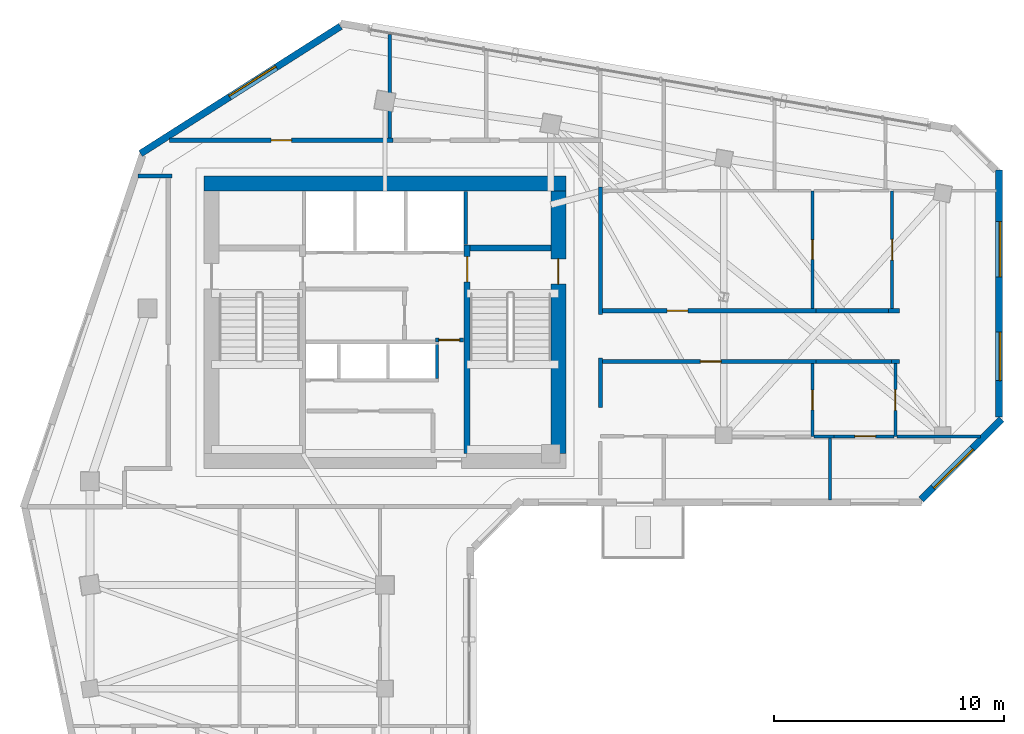
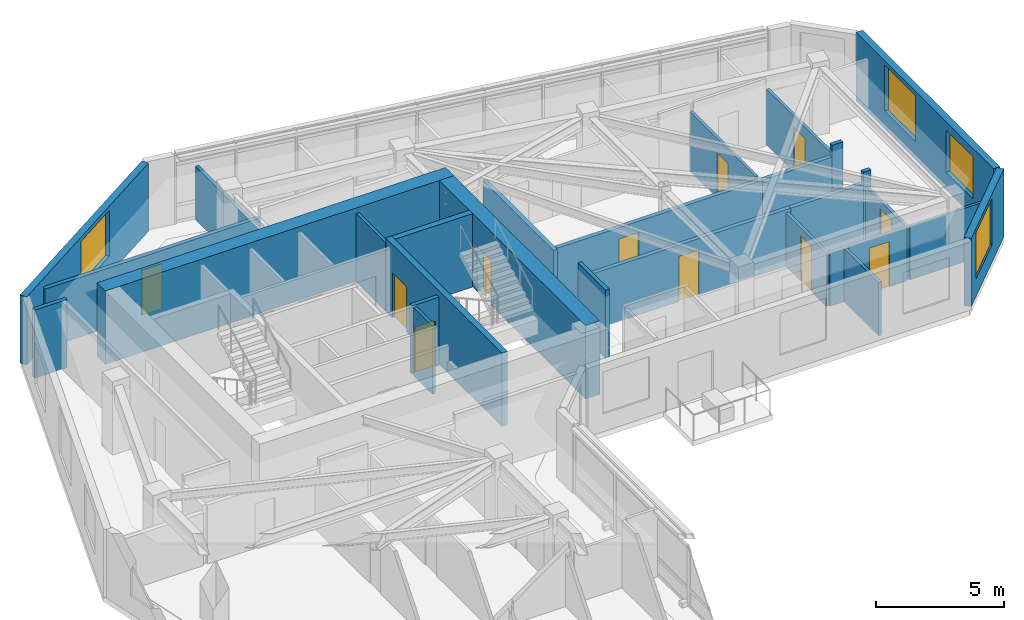
# One storey, part 7 of 11: 29 walls, 11 doors, 4 windows, 15 openings.
"""IFC4 building model written with IfcOpenShell, lengths in metres."""

import ifcopenshell
import ifcopenshell.guid

model = None  # the IFC model being written
_history = None  # IfcOwnerHistory: only IFC2X3 demands one
_inside = {}  # id of a spatial element -> (the spatial element, [elements in it])
_under = {}  # id of a project, library or spatial element -> (it, [spatial elements below it])
_declared = {}  # id of a project -> (the project, [libraries it declares])
_typed = {}  # id of a type object -> (the type object, [elements of that type])
_made_of = {}  # id of a material, layer set ... -> (it, [elements and type objects made of it])


def new_model(schema):
    """Start an empty IFC model of exactly this schema.

    Asked for "IFC4X3", IfcOpenShell would pick the latest addendum, in which some entities
    have other attributes; the version numbers below select the first issue.
    IFC2X3 requires an IfcOwnerHistory on every rooted entity: one is made here for all.
    """
    global model, _history
    if schema == "IFC4X3":
        model = ifcopenshell.file(schema_version=(4, 3, 0, 0))
    else:
        model = ifcopenshell.file(schema=schema)
    _inside.clear()
    _under.clear()
    _declared.clear()
    _typed.clear()
    _made_of.clear()
    _history = None
    if model.schema == "IFC2X3":
        org = make("IfcOrganization", Name="unknown")
        user = make(
            "IfcPersonAndOrganization",
            ThePerson=make("IfcPerson", FamilyName="unknown"),
            TheOrganization=org,
        )
        app = make(
            "IfcApplication",
            ApplicationDeveloper=org,
            Version="unknown",
            ApplicationFullName="unknown",
            ApplicationIdentifier="unknown",
        )
        _history = make(
            "IfcOwnerHistory",
            OwningUser=user,
            OwningApplication=app,
            ChangeAction="ADDED",
            CreationDate=0,
        )
    return model


def make(cls, **values):
    """One entity of the class cls with the attributes given. An attribute that is None is left unset."""
    return model.create_entity(
        cls, **{name: value for name, value in values.items() if value is not None}
    )


def rooted(cls, **values):
    """An entity with a GlobalId (a new one), such as an element, a storey or a relation."""
    return make(cls, GlobalId=ifcopenshell.guid.new(), OwnerHistory=_history, **values)


def si_unit(unit_type, name, prefix=None):
    """IfcSIUnit, for example si_unit("LENGTHUNIT", "METRE", prefix="MILLI")."""
    return make("IfcSIUnit", UnitType=unit_type, Prefix=prefix, Name=name)


def assignment(units):
    """IfcUnitAssignment: the units of a project."""
    return None if units is None else make("IfcUnitAssignment", Units=units)


def point(xyz):
    """IfcCartesianPoint."""
    return None if xyz is None else make("IfcCartesianPoint", Coordinates=xyz)


def direction(xyz):
    """IfcDirection."""
    return None if xyz is None else make("IfcDirection", DirectionRatios=xyz)


def frame(location, z_axis=None, x_axis=None):
    """IfcAxis2Placement3D, a coordinate frame: its origin and axes. An axis left out is left unset."""
    return make(
        "IfcAxis2Placement3D",
        Location=point(location),
        Axis=direction(z_axis),
        RefDirection=direction(x_axis),
    )


def frame_2d(location, x_axis=None):
    """IfcAxis2Placement2D, a coordinate frame in the plane: its origin and x axis."""
    return make(
        "IfcAxis2Placement2D", Location=point(location), RefDirection=direction(x_axis)
    )


def origin():
    """The frame at (0, 0, 0) with its axes left unset."""
    return frame((0.0, 0.0, 0.0))


def place(relative_to, where):
    """IfcLocalPlacement: puts the frame where relative to a parent placement (None: the world)."""
    return make(
        "IfcLocalPlacement", PlacementRelTo=relative_to, RelativePlacement=where
    )


def context(
    kind, dimensions, precision=None, world=None, true_north=None, identifier=None
):
    """IfcGeometricRepresentationContext, for example the 3D "Model" context."""
    return make(
        "IfcGeometricRepresentationContext",
        ContextIdentifier=identifier,
        ContextType=kind,
        CoordinateSpaceDimension=dimensions,
        Precision=precision,
        WorldCoordinateSystem=world,
        TrueNorth=true_north,
    )


def subcontext(parent, identifier, kind, view, scale=None):
    """IfcGeometricRepresentationSubContext, for example "Body" below "Model"."""
    return make(
        "IfcGeometricRepresentationSubContext",
        ContextIdentifier=identifier,
        ContextType=kind,
        ParentContext=parent,
        TargetScale=scale,
        TargetView=view,
    )


def project(units=None, contexts=None):
    """IfcProject with its units and contexts."""
    return rooted(
        "IfcProject",
        Name="project",
        RepresentationContexts=contexts,
        UnitsInContext=assignment(units),
    )


def spatial(cls, under=None, at=None, **own):
    """A site, building, storey or space (cls), placed at a placement, below another one or the project."""
    s = rooted(cls, ObjectPlacement=at, **own)
    if under is not None:
        _under.setdefault(under.id(), (under, []))[1].append(s)
    return s


def profile(cls, at=None, kind="AREA", **sizes):
    """A parametric profile (cls). Its sizes go by their IFC names, for example OverallWidth=200.0."""
    return make(cls, ProfileType=kind, Position=at, **sizes)


def rectangle(**sizes):
    """IfcRectangleProfileDef."""
    return profile("IfcRectangleProfileDef", **sizes)


def extrude(swept, where, along, depth):
    """IfcExtrudedAreaSolid: the profile swept, set in the frame where, extruded along a direction by depth."""
    return make(
        "IfcExtrudedAreaSolid",
        SweptArea=swept,
        Position=where,
        ExtrudedDirection=direction(along),
        Depth=depth,
    )


def shape(context_of_items, identifier, shape_type, items):
    """IfcShapeRepresentation: the items that make up one representation, for example the "Body"."""
    return make(
        "IfcShapeRepresentation",
        ContextOfItems=context_of_items,
        RepresentationIdentifier=identifier,
        RepresentationType=shape_type,
        Items=items,
    )


def source(mapping_origin, context_of_items, identifier, shape_type, items):
    """IfcRepresentationMap: a shape defined once, which mapped items show again and again."""
    return make(
        "IfcRepresentationMap",
        MappingOrigin=mapping_origin,
        MappedRepresentation=shape(context_of_items, identifier, shape_type, items),
    )


def transform(
    local_origin,
    x_axis=None,
    y_axis=None,
    z_axis=None,
    scale=None,
    scale2=None,
    scale3=None,
    uniform=True,
):
    """IfcCartesianTransformationOperator3D, or its non-uniform kind. x_axis, y_axis, z_axis: its Axis1, 2, 3."""
    if uniform:
        return make(
            "IfcCartesianTransformationOperator3D",
            Axis1=direction(x_axis),
            Axis2=direction(y_axis),
            LocalOrigin=point(local_origin),
            Scale=scale,
            Axis3=direction(z_axis),
        )
    return make(
        "IfcCartesianTransformationOperator3DnonUniform",
        Axis1=direction(x_axis),
        Axis2=direction(y_axis),
        LocalOrigin=point(local_origin),
        Scale=scale,
        Axis3=direction(z_axis),
        Scale2=scale2,
        Scale3=scale3,
    )


def mapped(mapping_source, mapping_target):
    """IfcMappedItem: shows the shape of a source again, moved by a transform."""
    return make(
        "IfcMappedItem", MappingSource=mapping_source, MappingTarget=mapping_target
    )


def material(Name=None, Category=None):
    """IfcMaterial."""
    return make("IfcMaterial", Name=Name, Category=Category)


def layer(
    of_material, thickness, ventilated=None, Name=None, Category=None, Priority=None
):
    """IfcMaterialLayer: one layer of a wall or slab, of a material (None: an air gap)."""
    return make(
        "IfcMaterialLayer",
        Material=of_material,
        LayerThickness=thickness,
        IsVentilated=ventilated,
        Name=Name,
        Category=Category,
        Priority=Priority,
    )


def layer_set(layers, Name=None):
    """IfcMaterialLayerSet."""
    return make("IfcMaterialLayerSet", MaterialLayers=layers, LayerSetName=Name)


def made_of(thing, what):
    """Note that an element or type object is made of a material, layer set ...; save() writes the relation."""
    if what is not None:
        _made_of.setdefault(what.id(), (what, []))[1].append(thing)
    return thing


def type_object(cls, material=None, **own):
    """A type object (cls), such as IfcWallType, which elements share."""
    return made_of(rooted(cls, **own), material)


def element(
    cls,
    number,
    at=None,
    inside=None,
    cuts=None,
    type_object=None,
    material=None,
    context=None,
    identifier="Body",
    shape_type=None,
    held_by="IfcProductDefinitionShape",
    body=None,
    shapes=None,
    **own,
):
    """One element of the class cls, such as IfcWall. Its Tag is "e" and its number.

    at: its placement. inside: the storey or other place that contains it. cuts: it is an
    opening in that element (IfcRelVoidsElement). A single representation is given by context,
    identifier, shape_type and body (its items); several are given by shapes. held_by: the class
    of the entity that holds the representations. save() writes the other relations.
    """
    e = rooted(cls, Tag="e%d" % number, ObjectPlacement=at, **own)
    if body is not None:
        shapes = [shape(context, identifier, shape_type, body)]
    if shapes is not None:
        e.Representation = make(held_by, Representations=shapes)
    if inside is not None:
        _inside.setdefault(inside.id(), (inside, []))[1].append(e)
    if cuts is not None:
        rooted(
            "IfcRelVoidsElement", RelatingBuildingElement=cuts, RelatedOpeningElement=e
        )
    if type_object is not None:
        _typed.setdefault(type_object.id(), (type_object, []))[1].append(e)
    return made_of(e, material)


def fill(opening, filler):
    """IfcRelFillsElement: the door or window that sits in an opening."""
    return rooted(
        "IfcRelFillsElement",
        RelatingOpeningElement=opening,
        RelatedBuildingElement=filler,
    )


def aggregate(whole, parts):
    """IfcRelAggregates: a whole, such as a stair, and the parts it consists of."""
    return rooted("IfcRelAggregates", RelatingObject=whole, RelatedObjects=parts)


def save(model, path):
    """Write the relations noted so far, then the file.

    IfcRelAggregates (storeys below a building ...), IfcRelContainedInSpatialStructure (elements
    in a storey), IfcRelDefinesByType, IfcRelAssociatesMaterial and IfcRelDeclares: one each for
    every whole, place, type object, material and project.
    """
    for whole, parts in _under.values():
        aggregate(whole, parts)
    for where, things in _inside.values():
        rooted(
            "IfcRelContainedInSpatialStructure",
            RelatedElements=things,
            RelatingStructure=where,
        )
    for kind, things in _typed.values():
        rooted("IfcRelDefinesByType", RelatedObjects=things, RelatingType=kind)
    for what, things in _made_of.values():
        rooted("IfcRelAssociatesMaterial", RelatedObjects=things, RelatingMaterial=what)
    for by, libraries in _declared.values():
        rooted("IfcRelDeclares", RelatingContext=by, RelatedDefinitions=libraries)
    model.write(path)


model = new_model("IFC4")

# Units and contexts
model_context = context("Model", 3, precision=1e-05, world=origin(), true_north=direction((0.0, 1.0)))
body_context = subcontext(model_context, "Body", "Model", "MODEL_VIEW")
ifc_project = project(units=[si_unit("LENGTHUNIT", "METRE"), si_unit("AREAUNIT", "SQUARE_METRE"), si_unit("VOLUMEUNIT", "CUBIC_METRE"), si_unit("PLANEANGLEUNIT", "RADIAN"), si_unit("MASSUNIT", "GRAM", prefix="KILO")], contexts=[model_context])

# Site, building, storey
site_placement = place(None, origin())
site = spatial("IfcSite", under=ifc_project, at=site_placement, CompositionType="ELEMENT")
building_placement = place(site_placement, origin())
building = spatial("IfcBuilding", under=site, at=building_placement, Name="Calvemar Wedge Station Tower", CompositionType="ELEMENT")
storey_placement = place(building_placement, frame((0.0, 0.0, 183.39990234375)))
storey = spatial("IfcBuildingStorey", under=building, at=storey_placement, Name="L45", CompositionType="ELEMENT", Elevation=183.39990234375)

# Wall, opening, door
ifc_material_1 = material(Name="Concrete C50", Category="concrete")
ifc_layer_1 = layer(ifc_material_1, 0.260009765625)
ifc_layer_set_1 = layer_set([ifc_layer_1], Name="Concrete C50")
wall_type_1 = type_object("IfcWallType", Name="SW-CORE-260", PredefinedType="SHEAR", material=ifc_layer_set_1)
wall_1_placement = place(storey_placement, frame((27.3701171875, 34.199951171875, 0.0), z_axis=(0.0, 0.0, 1.0), x_axis=(0.0, 1.0, 0.0)))
wall_1 = element("IfcWall", 1, at=wall_1_placement, inside=storey, type_object=wall_type_1, Name="Storey L45 Core Shear Wall SPINE-E", PredefinedType="SHEAR", context=body_context, shape_type="SweptSolid", body=[
    extrude(rectangle(XDim=9.06005859375, YDim=0.260009765625, at=frame_2d((4.530029296875, 0.0))), origin(), (0.0, 0.0, 1.0), 3.5),
])
shared_shape_1 = source(origin(), body_context, "Body", "SweptSolid", [
    extrude(rectangle(XDim=1.10009765625, YDim=2.14990234375, at=frame_2d((0.550048828125, 1.074951171875))), frame((0.0, 0.14013671875, 0.0), z_axis=(0.0, -1.0, 0.0), x_axis=(1.0, 0.0, 0.0)), (0.0, 0.0, 1.0), 0.280029296875),
])
opening_1_placement = place(wall_1_placement, frame((7.449951171875, 0.0, 0.0)))
opening_1 = element("IfcOpeningElement", 2, at=opening_1_placement, cuts=wall_1, Name="Opening FD-90", PredefinedType="OPENING", context=body_context, shape_type="MappedRepresentation", body=[
    mapped(shared_shape_1, transform((0.0, 0.0, 0.0), scale=1.0)),
])
ifc_material_2 = material(Name="Galvanized fire-rated steel door leaf P-90", Category="steel")
door_type_1 = type_object("IfcDoorType", Name="DR-FD90-1100", OperationType="NOTDEFINED", PredefinedType="DOOR", material=ifc_material_2)
shared_shape_2 = source(origin(), body_context, "Body", "SweptSolid", [
    extrude(rectangle(XDim=1.10009765625, YDim=2.14990234375, at=frame_2d((0.550048828125, 1.074951171875))), frame((0.0, 0.02490234375, 0.0), z_axis=(0.0, -1.0, 0.0), x_axis=(1.0, 0.0, 0.0)), (0.0, 0.0, 1.0), 0.050048828125),
])
door_1_placement = place(opening_1_placement, origin())
door_1 = element("IfcDoor", 3, at=door_1_placement, inside=storey, type_object=door_type_1, Name="L45 FF Lobby to Stair ST-C2 Door", OperationType="SINGLE_SWING_RIGHT", OverallHeight=2.14990234375, OverallWidth=1.10009765625, PredefinedType="DOOR", context=body_context, shape_type="MappedRepresentation", body=[
    mapped(shared_shape_2, transform((0.0, 0.0, 0.0), scale=1.0)),
])
fill(opening_1, door_1)

# Walls
wall_2_placement = place(storey_placement, frame((27.5, 43.1298828125, 0.0), z_axis=(0.0, 0.0, 1.0), x_axis=(1.0, 0.0, 0.0)))
element("IfcWall", 4, at=wall_2_placement, inside=storey, type_object=wall_type_1, Name="Storey L45 Core Shear Wall STC2-N", PredefinedType="SHEAR", context=body_context, shape_type="SweptSolid", body=[
    extrude(rectangle(XDim=3.5, YDim=0.260009765625, at=frame_2d((1.75, 0.0))), origin(), (0.0, 0.0, 1.0), 3.5),
])
ifc_material_3 = material(Name="Concrete C60", Category="concrete")
ifc_layer_2 = layer(ifc_material_3, 0.64990234375)
ifc_layer_set_2 = layer_set([ifc_layer_2], Name="Concrete C60")
wall_type_2 = type_object("IfcWallType", Name="SW-CORE-650", PredefinedType="SHEAR", material=ifc_layer_set_2)
wall_3_placement = place(storey_placement, frame((15.949951171875, 45.925048828125, 0.0), z_axis=(0.0, 0.0, 1.0), x_axis=(1.0, 0.0, 0.0)))
element("IfcWall", 5, at=wall_3_placement, inside=storey, type_object=wall_type_2, Name="Storey L45 Core Shear Wall N", PredefinedType="SHEAR", context=body_context, shape_type="SweptSolid", body=[
    extrude(rectangle(XDim=15.699951171875, YDim=0.64990234375, at=frame_2d((7.85009765625, 0.0))), origin(), (0.0, 0.0, 1.0), 3.5),
])

# Wall, opening, door
wall_4_placement = place(storey_placement, frame((31.324951171875, 34.199951171875, 0.0), z_axis=(0.0, 0.0, 1.0), x_axis=(0.0, 1.0, 0.0)))
wall_4 = element("IfcWall", 6, at=wall_4_placement, inside=storey, type_object=wall_type_2, Name="Storey L45 Core Shear Wall E", PredefinedType="SHEAR", context=body_context, shape_type="SweptSolid", body=[
    extrude(rectangle(XDim=11.400146484375, YDim=0.64990234375, at=frame_2d((5.7001953125, 0.0))), origin(), (0.0, 0.0, 1.0), 3.5),
])
shared_shape_3 = source(origin(), body_context, "Body", "SweptSolid", [
    extrude(rectangle(XDim=1.10009765625, YDim=2.14990234375, at=frame_2d((0.550048828125, 1.074951171875))), frame((0.0, 0.3349609375, 0.0), z_axis=(0.0, -1.0, 0.0), x_axis=(1.0, 0.0, 0.0)), (0.0, 0.0, 1.0), 0.669921875),
])
opening_2_placement = place(wall_4_placement, frame((7.35009765625, 0.0, 0.0)))
opening_2 = element("IfcOpeningElement", 7, at=opening_2_placement, cuts=wall_4, Name="Opening FD-90", PredefinedType="OPENING", context=body_context, shape_type="MappedRepresentation", body=[
    mapped(shared_shape_3, transform((0.0, 0.0, 0.0), scale=1.0)),
])
door_2_placement = place(opening_2_placement, origin())
door_2 = element("IfcDoor", 8, at=door_2_placement, inside=storey, type_object=door_type_1, Name="L45 East Corridor to Exit Stair ST-C2 Door", OperationType="SINGLE_SWING_RIGHT", OverallHeight=2.14990234375, OverallWidth=1.10009765625, PredefinedType="DOOR", context=body_context, shape_type="MappedRepresentation", body=[
    mapped(shared_shape_2, transform((0.0, 0.0, 0.0), scale=1.0)),
])
fill(opening_2, door_2)

ifc_material_4 = material(Name="Double-stud fire-rated corridor partition")
ifc_layer_3 = layer(ifc_material_4, 0.179931640625)
ifc_layer_set_3 = layer_set([ifc_layer_3], Name="Double-stud fire-rated corridor partition")
wall_type_3 = type_object("IfcWallType", Name="W-CORR-180", PredefinedType="PARTITIONING", material=ifc_layer_set_3)
wall_5_placement = place(storey_placement, frame((27.199951171875, 39.1298828125, 0.0), z_axis=(0.0, 0.0, 1.0), x_axis=(-1.0, 0.0, 0.0)))
wall_5 = element("IfcWall", 9, at=wall_5_placement, inside=storey, type_object=wall_type_3, Name="Storey L45 Interior Partition WL-L45-003", PredefinedType="PARTITIONING", context=body_context, shape_type="SweptSolid", body=[
    extrude(rectangle(XDim=1.2099609375, YDim=0.179931640625, at=frame_2d((0.60498046875, 0.0))), origin(), (0.0, 0.0, 1.0), 3.25),
])
shared_shape_4 = source(origin(), body_context, "Body", "SweptSolid", [
    extrude(rectangle(XDim=0.89990234375, YDim=2.14990234375, at=frame_2d((0.449951171875, 1.074951171875))), frame((0.0, 0.10009765625, 0.0), z_axis=(0.0, -1.0, 0.0), x_axis=(1.0, 0.0, 0.0)), (0.0, 0.0, 1.0), 0.199951171875),
])
opening_3_placement = place(wall_5_placement, frame((0.155029296875, 0.0, 0.0)))
opening_3 = element("IfcOpeningElement", 10, at=opening_3_placement, cuts=wall_5, Name="Opening FD-60", PredefinedType="OPENING", context=body_context, shape_type="MappedRepresentation", body=[
    mapped(shared_shape_4, transform((0.0, 0.0, 0.0), scale=1.0)),
])
ifc_material_5 = material(Name="Fire-rated acoustic timber-core entrance door EI 60", Category="wood")
door_type_2 = type_object("IfcDoorType", Name="DR-FD60-900", OperationType="NOTDEFINED", PredefinedType="DOOR", material=ifc_material_5)
shared_shape_5 = source(origin(), body_context, "Body", "SweptSolid", [
    extrude(rectangle(XDim=0.89990234375, YDim=2.14990234375, at=frame_2d((0.449951171875, 1.074951171875))), frame((0.0, 0.02490234375, 0.0), z_axis=(0.0, -1.0, 0.0), x_axis=(1.0, 0.0, 0.0)), (0.0, 0.0, 1.0), 0.050048828125),
])
door_3_placement = place(opening_3_placement, origin())
door_3 = element("IfcDoor", 11, at=door_3_placement, inside=storey, type_object=door_type_2, Name="L45 Core Service Lobby Door", OperationType="SINGLE_SWING_LEFT", OverallHeight=2.14990234375, OverallWidth=0.89990234375, PredefinedType="DOOR", context=body_context, shape_type="MappedRepresentation", body=[
    mapped(shared_shape_5, transform((0.0, 0.0, 0.0), scale=1.0)),
])
fill(opening_3, door_3)

# Wall
wall_6_placement = place(storey_placement, frame((14.56005859375, 46.25, 0.0), z_axis=(0.0, 0.0, 1.0), x_axis=(-1.0, 0.0, 0.0)))
element("IfcWall", 12, at=wall_6_placement, inside=storey, type_object=wall_type_3, Name="Storey L45 Interior Partition WL-L45-013", PredefinedType="PARTITIONING", context=body_context, shape_type="SweptSolid", body=[
    extrude(rectangle(XDim=1.46875, YDim=0.179931640625, at=frame_2d((0.734375, 0.0))), origin(), (0.0, 0.0, 1.0), 3.25),
])

# Wall, opening, door
wall_7_placement = place(storey_placement, frame((14.45263671875, 47.800048828125, 0.0), z_axis=(0.0, 0.0, 1.0), x_axis=(1.0, 0.0, 0.0)))
wall_7 = element("IfcWall", 13, at=wall_7_placement, inside=storey, type_object=wall_type_3, Name="Storey L45 Interior Partition WL-L45-014", PredefinedType="PARTITIONING", context=body_context, shape_type="SweptSolid", body=[
    extrude(rectangle(XDim=9.707275390625, YDim=0.179931640625, at=frame_2d((4.853515625, 0.0))), origin(), (0.0, 0.0, 1.0), 2.835205078125),
])
opening_4_placement = place(wall_7_placement, frame((4.40380859375, 0.0, 0.0)))
opening_4 = element("IfcOpeningElement", 14, at=opening_4_placement, cuts=wall_7, Name="Opening D-01", PredefinedType="OPENING", context=body_context, shape_type="MappedRepresentation", body=[
    mapped(shared_shape_4, transform((0.0, 0.0, 0.0), scale=1.0)),
])
ifc_material_6 = material(Name="Architectural hardwood acoustic swing door", Category="wood")
door_type_3 = type_object("IfcDoorType", Name="DR-INT-900", OperationType="NOTDEFINED", PredefinedType="DOOR", material=ifc_material_6)
shared_shape_6 = source(origin(), body_context, "Body", "SweptSolid", [
    extrude(rectangle(XDim=0.89990234375, YDim=2.14990234375, at=frame_2d((0.449951171875, 1.074951171875))), frame((0.0, 0.02490234375, 0.0), z_axis=(0.0, -1.0, 0.0), x_axis=(1.0, 0.0, 0.0)), (0.0, 0.0, 1.0), 0.050048828125),
])
door_4_placement = place(opening_4_placement, origin())
door_4 = element("IfcDoor", 15, at=door_4_placement, inside=storey, type_object=door_type_3, Name="L45 Resident Reading Study Door", OperationType="SINGLE_SWING_RIGHT", OverallHeight=2.14990234375, OverallWidth=0.89990234375, PredefinedType="DOOR", context=body_context, shape_type="MappedRepresentation", body=[
    mapped(shared_shape_6, transform((0.0, 0.0, 0.0), scale=1.0)),
])
fill(opening_4, door_4)

# Walls
wall_8_placement = place(storey_placement, frame((33.14990234375, 45.76611328125, 0.0), z_axis=(0.0, 0.0, 1.0), x_axis=(0.0, -1.0, 0.0)))
element("IfcWall", 16, at=wall_8_placement, inside=storey, type_object=wall_type_3, Name="Storey L45 Interior Partition WL-L45-018", PredefinedType="PARTITIONING", context=body_context, shape_type="SweptSolid", body=[
    extrude(rectangle(XDim=5.526123046875, YDim=0.179931640625, at=frame_2d((2.76318359375, 0.0))), origin(), (0.0, 0.0, 1.0), 2.68798828125),
])
wall_9_placement = place(storey_placement, frame((33.14990234375, 38.360107421875, 0.0), z_axis=(0.0, 0.0, 1.0), x_axis=(0.0, -1.0, 0.0)))
element("IfcWall", 17, at=wall_9_placement, inside=storey, type_object=wall_type_3, Name="Storey L45 Interior Partition WL-L45-020", PredefinedType="PARTITIONING", context=body_context, shape_type="SweptSolid", body=[
    extrude(rectangle(XDim=2.16015625, YDim=0.179931640625, at=frame_2d((1.080078125, 0.0))), origin(), (0.0, 0.0, 1.0), 3.25),
])
wall_10_placement = place(storey_placement, frame((45.64794921875, 40.39990234375, 0.0), z_axis=(0.0, 0.0, 1.0), x_axis=(1.0, 0.0, 0.0)))
element("IfcWall", 18, at=wall_10_placement, inside=storey, type_object=wall_type_3, Name="Storey L45 Interior Partition WL-L45-025", PredefinedType="PARTITIONING", context=body_context, shape_type="SweptSolid", body=[
    extrude(rectangle(XDim=0.487060546875, YDim=0.179931640625, at=frame_2d((0.24365234375, 0.0))), origin(), (0.0, 0.0, 1.0), 3.25),
])

# Wall, opening, door
wall_11_placement = place(storey_placement, frame((33.243896484375, 40.39990234375, 0.0), z_axis=(0.0, 0.0, 1.0), x_axis=(1.0, 0.0, 0.0)))
wall_11 = element("IfcWall", 19, at=wall_11_placement, inside=storey, type_object=wall_type_3, Name="Storey L45 Interior Partition WL-L45-026", PredefinedType="PARTITIONING", context=body_context, shape_type="SweptSolid", body=[
    extrude(rectangle(XDim=9.26611328125, YDim=0.179931640625, at=frame_2d((4.633056640625, 0.0))), origin(), (0.0, 0.0, 1.0), 2.68798828125),
])
opening_5_placement = place(wall_11_placement, frame((2.802001953125, 0.0, 0.0)))
opening_5 = element("IfcOpeningElement", 20, at=opening_5_placement, cuts=wall_11, Name="Opening FD-60", PredefinedType="OPENING", context=body_context, shape_type="MappedRepresentation", body=[
    mapped(shared_shape_4, transform((0.0, 0.0, 0.0), scale=1.0)),
])
door_5_placement = place(opening_5_placement, origin())
door_5 = element("IfcDoor", 21, at=door_5_placement, inside=storey, type_object=door_type_2, Name="L45 Living Dining Door", OperationType="SINGLE_SWING_RIGHT", OverallHeight=2.14990234375, OverallWidth=0.89990234375, PredefinedType="DOOR", context=body_context, shape_type="MappedRepresentation", body=[
    mapped(shared_shape_5, transform((0.0, 0.0, 0.0), scale=1.0)),
])
fill(opening_5, door_5)

# Walls
wall_12_placement = place(storey_placement, frame((42.511962890625, 40.39990234375, 0.0), z_axis=(0.0, 0.0, 1.0), x_axis=(1.0, 0.0, 0.0)))
element("IfcWall", 22, at=wall_12_placement, inside=storey, type_object=wall_type_3, Name="Storey L45 Interior Partition WL-L45-027", PredefinedType="PARTITIONING", context=body_context, shape_type="SweptSolid", body=[
    extrude(rectangle(XDim=3.134033203125, YDim=0.179931640625, at=frame_2d((1.56689453125, 0.0))), origin(), (0.0, 0.0, 1.0), 2.68798828125),
])
wall_13_placement = place(storey_placement, frame((46.135009765625, 38.199951171875, 0.0), z_axis=(0.0, 0.0, 1.0), x_axis=(-1.0, 0.0, 0.0)))
element("IfcWall", 23, at=wall_13_placement, inside=storey, type_object=wall_type_3, Name="Storey L45 Interior Partition WL-L45-028", PredefinedType="PARTITIONING", context=body_context, shape_type="SweptSolid", body=[
    extrude(rectangle(XDim=0.344970703125, YDim=0.179931640625, at=frame_2d((0.17236328125, 0.0))), origin(), (0.0, 0.0, 1.0), 3.25),
])

# Wall, opening, door
wall_14_placement = place(storey_placement, frame((42.510009765625, 38.199951171875, 0.0), z_axis=(0.0, 0.0, 1.0), x_axis=(-1.0, 0.0, 0.0)))
wall_14 = element("IfcWall", 24, at=wall_14_placement, inside=storey, type_object=wall_type_3, Name="Storey L45 Interior Partition WL-L45-029", PredefinedType="PARTITIONING", context=body_context, shape_type="SweptSolid", body=[
    extrude(rectangle(XDim=9.26611328125, YDim=0.179931640625, at=frame_2d((4.633056640625, 0.0))), origin(), (0.0, 0.0, 1.0), 2.68798828125),
])
opening_6_placement = place(wall_14_placement, frame((4.123046875, 0.0, 0.0)))
opening_6 = element("IfcOpeningElement", 25, at=opening_6_placement, cuts=wall_14, Name="Opening FD-60", PredefinedType="OPENING", context=body_context, shape_type="MappedRepresentation", body=[
    mapped(shared_shape_4, transform((0.0, 0.0, 0.0), scale=1.0)),
])
door_6_placement = place(opening_6_placement, origin())
door_6 = element("IfcDoor", 26, at=door_6_placement, inside=storey, type_object=door_type_2, Name="L45 Living Dining Door", OperationType="SINGLE_SWING_LEFT", OverallHeight=2.14990234375, OverallWidth=0.89990234375, PredefinedType="DOOR", context=body_context, shape_type="MappedRepresentation", body=[
    mapped(shared_shape_5, transform((0.0, 0.0, 0.0), scale=1.0)),
])
fill(opening_6, door_6)

# Wall
wall_15_placement = place(storey_placement, frame((45.7880859375, 38.199951171875, 0.0), z_axis=(0.0, 0.0, 1.0), x_axis=(-1.0, 0.0, 0.0)))
element("IfcWall", 27, at=wall_15_placement, inside=storey, type_object=wall_type_3, Name="Storey L45 Interior Partition WL-L45-030", PredefinedType="PARTITIONING", context=body_context, shape_type="SweptSolid", body=[
    extrude(rectangle(XDim=3.276123046875, YDim=0.179931640625, at=frame_2d((1.63818359375, 0.0))), origin(), (0.0, 0.0, 1.0), 2.68798828125),
])

# Wall, opening, window
ifc_material_7 = material(Name="Precast concrete C45", Category="concrete")
ifc_layer_4 = layer(ifc_material_7, 0.300048828125)
ifc_layer_set_4 = layer_set([ifc_layer_4], Name="Precast concrete C45")
wall_type_4 = type_object("IfcWallType", Name="W-EXT-GFRC-300", PredefinedType="SOLIDWALL", material=ifc_layer_set_4)
wall_16_placement = place(storey_placement, frame((47.075927734375, 32.2119140625, 0.0), z_axis=(0.0, 0.0, 1.0), x_axis=(0.707106781187, 0.707106781187, 0.0)))
wall_16 = element("IfcWall", 28, at=wall_16_placement, inside=storey, type_object=wall_type_4, Name="Storey L45 Bronze GFRC Exterior Wall 7", PredefinedType="SOLIDWALL", context=body_context, shape_type="SweptSolid", body=[
    extrude(rectangle(XDim=4.921875, YDim=0.300048828125, at=frame_2d((2.4609375, 0.0))), origin(), (0.0, 0.0, 1.0), 3.25),
])
shared_shape_7 = source(origin(), body_context, "Body", "SweptSolid", [
    extrude(rectangle(XDim=2.39990234375, YDim=2.199951171875, at=frame_2d((1.199951171875, 1.10009765625))), frame((0.0, 0.16015625, 0.0), z_axis=(0.0, -1.0, 0.0), x_axis=(1.0, 0.0, 0.0)), (0.0, 0.0, 1.0), 0.320068359375),
])
opening_7_placement = place(wall_16_placement, frame((0.72900390625, 0.0, 0.85009765625)))
opening_7 = element("IfcOpeningElement", 29, at=opening_7_placement, cuts=wall_16, Name="Opening W1", PredefinedType="OPENING", context=body_context, shape_type="MappedRepresentation", body=[
    mapped(shared_shape_7, transform((0.0, 0.0, 0.0), scale=1.0)),
])
ifc_material_8 = material(Name="Low-E laminated insulated glass", Category="glass")
window_type_1 = type_object("IfcWindowType", Name="WIN-EXT-1", PartitioningType="SINGLE_PANEL", PredefinedType="WINDOW", material=ifc_material_8)
shared_shape_8 = source(origin(), body_context, "Body", "SweptSolid", [
    extrude(rectangle(XDim=2.39990234375, YDim=2.199951171875, at=frame_2d((1.199951171875, 1.10009765625))), frame((0.0, -0.014892578125, 0.0), z_axis=(0.0, -1.0, 0.0), x_axis=(1.0, 0.0, 0.0)), (0.0, 0.0, 1.0), 0.06005859375),
])
window_1_placement = place(opening_7_placement, origin())
window_1 = element("IfcWindow", 30, at=window_1_placement, inside=storey, type_object=window_type_1, Name="Storey L45 Recessed Window 7.1", OverallHeight=2.199951171875, OverallWidth=2.39990234375, PartitioningType="SINGLE_PANEL", PredefinedType="WINDOW", context=body_context, shape_type="MappedRepresentation", body=[
    mapped(shared_shape_8, transform((0.0, 0.0, 0.0), scale=1.0)),
])
fill(opening_7, window_1)

# Wall, openings, windows
wall_17_placement = place(storey_placement, frame((50.449951171875, 35.78125, 0.0), z_axis=(0.0, 0.0, 1.0), x_axis=(0.0, 1.0, 0.0)))
wall_17 = element("IfcWall", 31, at=wall_17_placement, inside=storey, type_object=wall_type_4, Name="Storey L45 Bronze GFRC Exterior Wall 8", PredefinedType="SOLIDWALL", context=body_context, shape_type="SweptSolid", body=[
    extrude(rectangle(XDim=10.730712890625, YDim=0.300048828125, at=frame_2d((5.365234375, 0.0))), origin(), (0.0, 0.0, 1.0), 3.25),
])
shared_shape_9 = source(origin(), body_context, "Body", "SweptSolid", [
    extrude(rectangle(XDim=2.10009765625, YDim=2.0, at=frame_2d((1.050048828125, 1.0))), frame((0.0, 0.16015625, 0.0), z_axis=(0.0, -1.0, 0.0), x_axis=(1.0, 0.0, 0.0)), (0.0, 0.0, 1.0), 0.320068359375),
])
opening_8_placement = place(wall_17_placement, frame((1.591064453125, 0.0, 0.85009765625)))
opening_8 = element("IfcOpeningElement", 32, at=opening_8_placement, cuts=wall_17, Name="Opening W4", PredefinedType="OPENING", context=body_context, shape_type="MappedRepresentation", body=[
    mapped(shared_shape_9, transform((0.0, 0.0, 0.0), scale=1.0)),
])
opening_9_placement = place(wall_17_placement, frame((6.083984375, 0.0, 0.85009765625)))
opening_9 = element("IfcOpeningElement", 33, at=opening_9_placement, cuts=wall_17, Name="Opening W1", PredefinedType="OPENING", context=body_context, shape_type="MappedRepresentation", body=[
    mapped(shared_shape_7, transform((0.0, 0.0, 0.0), scale=1.0)),
])
window_type_2 = type_object("IfcWindowType", Name="WIN-EXT-4", PartitioningType="SINGLE_PANEL", PredefinedType="WINDOW", material=ifc_material_8)
shared_shape_10 = source(origin(), body_context, "Body", "SweptSolid", [
    extrude(rectangle(XDim=2.10009765625, YDim=2.0, at=frame_2d((1.050048828125, 1.0))), frame((0.0, -0.014892578125, 0.0), z_axis=(0.0, -1.0, 0.0), x_axis=(1.0, 0.0, 0.0)), (0.0, 0.0, 1.0), 0.06005859375),
])
window_2_placement = place(opening_8_placement, origin())
window_2 = element("IfcWindow", 34, at=window_2_placement, inside=storey, type_object=window_type_2, Name="Storey L45 Recessed Window 8.1", OverallHeight=2.0, OverallWidth=2.10009765625, PartitioningType="SINGLE_PANEL", PredefinedType="WINDOW", context=body_context, shape_type="MappedRepresentation", body=[
    mapped(shared_shape_10, transform((0.0, 0.0, 0.0), scale=1.0)),
])
fill(opening_8, window_2)
window_3_placement = place(opening_9_placement, origin())
window_3 = element("IfcWindow", 35, at=window_3_placement, inside=storey, type_object=window_type_1, Name="Storey L45 Recessed Window 8.2", OverallHeight=2.199951171875, OverallWidth=2.39990234375, PartitioningType="SINGLE_PANEL", PredefinedType="WINDOW", context=body_context, shape_type="MappedRepresentation", body=[
    mapped(shared_shape_8, transform((0.0, 0.0, 0.0), scale=1.0)),
])
fill(opening_9, window_3)

# Wall, opening, window
wall_18_placement = place(storey_placement, frame((21.87451171875, 52.7421875, 0.0), z_axis=(0.0, 0.0, 1.0), x_axis=(-0.843666375448, -0.536867811419, 0.0)))
wall_18 = element("IfcWall", 36, at=wall_18_placement, inside=storey, type_object=wall_type_4, Name="Storey L45 Bronze GFRC Exterior Wall 11", PredefinedType="SOLIDWALL", context=body_context, shape_type="SweptSolid", body=[
    extrude(rectangle(XDim=10.28369140625, YDim=0.300048828125, at=frame_2d((5.141845703125, 0.0))), origin(), (0.0, 0.0, 1.0), 3.25),
])
opening_10_placement = place(wall_18_placement, frame((3.306884765625, 0.0, 0.85009765625)))
opening_10 = element("IfcOpeningElement", 37, at=opening_10_placement, cuts=wall_18, Name="Opening W1", PredefinedType="OPENING", context=body_context, shape_type="MappedRepresentation", body=[
    mapped(shared_shape_7, transform((0.0, 0.0, 0.0), scale=1.0)),
])
window_4_placement = place(opening_10_placement, origin())
window_4 = element("IfcWindow", 38, at=window_4_placement, inside=storey, type_object=window_type_1, Name="Storey L45 Recessed Window 11.1", OverallHeight=2.199951171875, OverallWidth=2.39990234375, PartitioningType="SINGLE_PANEL", PredefinedType="WINDOW", context=body_context, shape_type="MappedRepresentation", body=[
    mapped(shared_shape_8, transform((0.0, 0.0, 0.0), scale=1.0)),
])
fill(opening_10, window_4)

# Walls
ifc_material_9 = material(Name="Reinforced concrete blockwork lift shaft wall", Category="masonry")
ifc_layer_5 = layer(ifc_material_9, 0.139892578125)
ifc_layer_set_5 = layer_set([ifc_layer_5], Name="Reinforced concrete blockwork lift shaft wall")
wall_type_5 = type_object("IfcWallType", Name="W-LIFT-160", PredefinedType="SOLIDWALL", material=ifc_layer_set_5)
wall_19_placement = place(storey_placement, frame((27.31005859375, 43.280029296875, 0.0), z_axis=(0.0, 0.0, 1.0), x_axis=(0.0, 1.0, 0.0)))
element("IfcWall", 39, at=wall_19_placement, inside=storey, type_object=wall_type_5, Name="Storey L45 Firefighting Lift Shaft Enclosure Wall E", PredefinedType="SOLIDWALL", context=body_context, shape_type="SweptSolid", body=[
    extrude(rectangle(XDim=2.300048828125, YDim=0.139892578125, at=frame_2d((1.14990234375, 0.0))), origin(), (0.0, 0.0, 1.0), 3.25),
])
wall_20_placement = place(storey_placement, frame((26.06005859375, 37.4599609375, 0.0), z_axis=(0.0, 0.0, 1.0), x_axis=(0.0, 1.0, 0.0)))
element("IfcWall", 40, at=wall_20_placement, inside=storey, type_object=wall_type_5, Name="Storey L45 Upper Passenger Lift Shaft Wall E", PredefinedType="SOLIDWALL", context=body_context, shape_type="SweptSolid", body=[
    extrude(rectangle(XDim=1.47998046875, YDim=0.139892578125, at=frame_2d((0.739990234375, 0.0))), origin(), (0.0, 0.0, 1.0), 3.25),
])

# Wall, opening, door
ifc_material_10 = material(Name="Insulated acoustic gypsum stud partition")
ifc_layer_6 = layer(ifc_material_10, 0.125)
ifc_layer_set_6 = layer_set([ifc_layer_6], Name="Insulated acoustic gypsum stud partition")
wall_type_6 = type_object("IfcWallType", Name="W-PART-125", PredefinedType="PARTITIONING", material=ifc_layer_set_6)
wall_21_placement = place(storey_placement, frame((45.80810546875, 40.493896484375, 0.0), z_axis=(0.0, 0.0, 1.0), x_axis=(0.0, 1.0, 0.0)))
wall_21 = element("IfcWall", 41, at=wall_21_placement, inside=storey, type_object=wall_type_6, Name="Storey L45 Interior Partition WL-L45-031", PredefinedType="PARTITIONING", context=body_context, shape_type="SweptSolid", body=[
    extrude(rectangle(XDim=5.112060546875, YDim=0.125, at=frame_2d((2.55615234375, 0.0))), origin(), (0.0, 0.0, 1.0), 2.68798828125),
])
shared_shape_11 = source(origin(), body_context, "Body", "SweptSolid", [
    extrude(rectangle(XDim=0.89990234375, YDim=2.14990234375, at=frame_2d((0.449951171875, 1.074951171875))), frame((0.0, 0.072509765625, 0.0), z_axis=(0.0, -1.0, 0.0), x_axis=(1.0, 0.0, 0.0)), (0.0, 0.0, 1.0), 0.14501953125),
])
opening_11_placement = place(wall_21_placement, frame((2.10595703125, 0.0, 0.0)))
opening_11 = element("IfcOpeningElement", 42, at=opening_11_placement, cuts=wall_21, Name="Opening D-01", PredefinedType="OPENING", context=body_context, shape_type="MappedRepresentation", body=[
    mapped(shared_shape_11, transform((0.0, 0.0, 0.0), scale=1.0)),
])
door_7_placement = place(opening_11_placement, origin())
door_7 = element("IfcDoor", 43, at=door_7_placement, inside=storey, type_object=door_type_3, Name="L45 Study Door", OperationType="SINGLE_SWING_LEFT", OverallHeight=2.14990234375, OverallWidth=0.89990234375, PredefinedType="DOOR", context=body_context, shape_type="MappedRepresentation", body=[
    mapped(shared_shape_6, transform((0.0, 0.0, 0.0), scale=1.0)),
])
fill(opening_11, door_7)

wall_22_placement = place(storey_placement, frame((42.35009765625, 45.60595703125, 0.0), z_axis=(0.0, 0.0, 1.0), x_axis=(0.0, -1.0, 0.0)))
wall_22 = element("IfcWall", 44, at=wall_22_placement, inside=storey, type_object=wall_type_6, Name="Storey L45 Interior Partition WL-L45-033", PredefinedType="PARTITIONING", context=body_context, shape_type="SweptSolid", body=[
    extrude(rectangle(XDim=5.112060546875, YDim=0.125, at=frame_2d((2.55615234375, 0.0))), origin(), (0.0, 0.0, 1.0), 2.835205078125),
])
shared_shape_12 = source(origin(), body_context, "Body", "SweptSolid", [
    extrude(rectangle(XDim=0.85009765625, YDim=2.14990234375, at=frame_2d((0.425048828125, 1.074951171875))), frame((0.0, 0.072509765625, 0.0), z_axis=(0.0, -1.0, 0.0), x_axis=(1.0, 0.0, 0.0)), (0.0, 0.0, 1.0), 0.14501953125),
])
opening_12_placement = place(wall_22_placement, frame((2.131103515625, 0.0, 0.0)))
opening_12 = element("IfcOpeningElement", 45, at=opening_12_placement, cuts=wall_22, Name="Opening D-02", PredefinedType="OPENING", context=body_context, shape_type="MappedRepresentation", body=[
    mapped(shared_shape_12, transform((0.0, 0.0, 0.0), scale=1.0)),
])
ifc_material_11 = material(Name="Moisture-sealed bathroom hardwood swing door", Category="wood")
door_type_4 = type_object("IfcDoorType", Name="DR-WET-850", OperationType="NOTDEFINED", PredefinedType="DOOR", material=ifc_material_11)
shared_shape_13 = source(origin(), body_context, "Body", "SweptSolid", [
    extrude(rectangle(XDim=0.85009765625, YDim=2.14990234375, at=frame_2d((0.425048828125, 1.074951171875))), frame((0.0, 0.02490234375, 0.0), z_axis=(0.0, -1.0, 0.0), x_axis=(1.0, 0.0, 0.0)), (0.0, 0.0, 1.0), 0.050048828125),
])
door_8_placement = place(opening_12_placement, origin())
door_8 = element("IfcDoor", 46, at=door_8_placement, inside=storey, type_object=door_type_4, Name="L45 Kitchen Door", OperationType="SINGLE_SWING_LEFT", OverallHeight=2.14990234375, OverallWidth=0.85009765625, PredefinedType="DOOR", context=body_context, shape_type="MappedRepresentation", body=[
    mapped(shared_shape_13, transform((0.0, 0.0, 0.0), scale=1.0)),
])
fill(opening_12, door_8)

wall_23_placement = place(storey_placement, frame((45.949951171875, 34.949951171875, 0.0), z_axis=(0.0, 0.0, 1.0), x_axis=(0.0, 1.0, 0.0)))
wall_23 = element("IfcWall", 47, at=wall_23_placement, inside=storey, type_object=wall_type_6, Name="Storey L45 Interior Partition WL-L45-041", PredefinedType="PARTITIONING", context=body_context, shape_type="SweptSolid", body=[
    extrude(rectangle(XDim=3.156005859375, YDim=0.125, at=frame_2d((1.578125, 0.0))), origin(), (0.0, 0.0, 1.0), 2.5419921875),
])
opening_13_placement = place(wall_23_placement, frame((1.1279296875, 0.0, 0.0)))
opening_13 = element("IfcOpeningElement", 48, at=opening_13_placement, cuts=wall_23, Name="Opening D-01", PredefinedType="OPENING", context=body_context, shape_type="MappedRepresentation", body=[
    mapped(shared_shape_11, transform((0.0, 0.0, 0.0), scale=1.0)),
])
door_9_placement = place(opening_13_placement, origin())
door_9 = element("IfcDoor", 49, at=door_9_placement, inside=storey, type_object=door_type_3, Name="L45 Study Door", OperationType="SINGLE_SWING_RIGHT", OverallHeight=2.14990234375, OverallWidth=0.89990234375, PredefinedType="DOOR", context=body_context, shape_type="MappedRepresentation", body=[
    mapped(shared_shape_6, transform((0.0, 0.0, 0.0), scale=1.0)),
])
fill(opening_13, door_9)

# Wall
wall_24_placement = place(storey_placement, frame((49.651123046875, 34.949951171875, 0.0), z_axis=(0.0, 0.0, 1.0), x_axis=(-1.0, 0.0, 0.0)))
element("IfcWall", 50, at=wall_24_placement, inside=storey, type_object=wall_type_6, Name="Storey L45 Interior Partition WL-L45-042", PredefinedType="PARTITIONING", context=body_context, shape_type="SweptSolid", body=[
    extrude(rectangle(XDim=3.634521484375, YDim=0.125, at=frame_2d((1.8173828125, 0.0))), origin(), (0.0, 0.0, 1.0), 2.5419921875),
])

# Wall, opening, door
wall_25_placement = place(storey_placement, frame((42.35009765625, 38.10595703125, 0.0), z_axis=(0.0, 0.0, 1.0), x_axis=(0.0, -1.0, 0.0)))
wall_25 = element("IfcWall", 51, at=wall_25_placement, inside=storey, type_object=wall_type_6, Name="Storey L45 Interior Partition WL-L45-043", PredefinedType="PARTITIONING", context=body_context, shape_type="SweptSolid", body=[
    extrude(rectangle(XDim=3.156005859375, YDim=0.125, at=frame_2d((1.578125, 0.0))), origin(), (0.0, 0.0, 1.0), 2.5419921875),
])
opening_14_placement = place(wall_25_placement, frame((1.153076171875, 0.0, 0.0)))
opening_14 = element("IfcOpeningElement", 52, at=opening_14_placement, cuts=wall_25, Name="Opening D-02", PredefinedType="OPENING", context=body_context, shape_type="MappedRepresentation", body=[
    mapped(shared_shape_12, transform((0.0, 0.0, 0.0), scale=1.0)),
])
door_10_placement = place(opening_14_placement, origin())
door_10 = element("IfcDoor", 53, at=door_10_placement, inside=storey, type_object=door_type_4, Name="L45 Kitchen Door", OperationType="SINGLE_SWING_RIGHT", OverallHeight=2.14990234375, OverallWidth=0.85009765625, PredefinedType="DOOR", context=body_context, shape_type="MappedRepresentation", body=[
    mapped(shared_shape_13, transform((0.0, 0.0, 0.0), scale=1.0)),
])
fill(opening_14, door_10)

# Wall
wall_26_placement = place(storey_placement, frame((43.277099609375, 34.949951171875, 0.0), z_axis=(0.0, 0.0, 1.0), x_axis=(-1.0, 0.0, 0.0)))
element("IfcWall", 54, at=wall_26_placement, inside=storey, type_object=wall_type_6, Name="Storey L45 Interior Partition WL-L45-046", PredefinedType="PARTITIONING", context=body_context, shape_type="SweptSolid", body=[
    extrude(rectangle(XDim=0.860595703125, YDim=0.125, at=frame_2d((0.43017578125, 0.0))), origin(), (0.0, 0.0, 1.0), 2.5419921875),
])

# Wall, opening, door
wall_27_placement = place(storey_placement, frame((45.883544921875, 34.949951171875, 0.0), z_axis=(0.0, 0.0, 1.0), x_axis=(-1.0, 0.0, 0.0)))
wall_27 = element("IfcWall", 55, at=wall_27_placement, inside=storey, type_object=wall_type_6, Name="Storey L45 Interior Partition WL-L45-047", PredefinedType="PARTITIONING", context=body_context, shape_type="SweptSolid", body=[
    extrude(rectangle(XDim=2.6044921875, YDim=0.125, at=frame_2d((1.30224609375, 0.0))), origin(), (0.0, 0.0, 1.0), 2.5419921875),
])
opening_15_placement = place(wall_27_placement, frame((0.788818359375, 0.0, 0.0)))
opening_15 = element("IfcOpeningElement", 56, at=opening_15_placement, cuts=wall_27, Name="Opening D-01", PredefinedType="OPENING", context=body_context, shape_type="MappedRepresentation", body=[
    mapped(shared_shape_11, transform((0.0, 0.0, 0.0), scale=1.0)),
])
door_11_placement = place(opening_15_placement, origin())
door_11 = element("IfcDoor", 57, at=door_11_placement, inside=storey, type_object=door_type_3, Name="L45 Master Bedroom Door", OperationType="SINGLE_SWING_LEFT", OverallHeight=2.14990234375, OverallWidth=0.89990234375, PredefinedType="DOOR", context=body_context, shape_type="MappedRepresentation", body=[
    mapped(shared_shape_6, transform((0.0, 0.0, 0.0), scale=1.0)),
])
fill(opening_15, door_11)

# Walls
wall_28_placement = place(storey_placement, frame((43.116943359375, 34.883544921875, 0.0), z_axis=(0.0, 0.0, 1.0), x_axis=(0.0, -1.0, 0.0)))
element("IfcWall", 58, at=wall_28_placement, inside=storey, type_object=wall_type_6, Name="Storey L45 Interior Partition WL-L45-049", PredefinedType="PARTITIONING", context=body_context, shape_type="SweptSolid", body=[
    extrude(rectangle(XDim=2.694580078125, YDim=0.125, at=frame_2d((1.34716796875, 0.0))), origin(), (0.0, 0.0, 1.0), 2.5419921875),
])
ifc_material_12 = material(Name="Moisture-resistant acoustic bathroom partition")
ifc_layer_7 = layer(ifc_material_12, 0.14990234375)
ifc_layer_set_7 = layer_set([ifc_layer_7], Name="Moisture-resistant acoustic bathroom partition")
wall_type_7 = type_object("IfcWallType", Name="W-WET-150", PredefinedType="PARTITIONING", material=ifc_layer_set_7)
wall_29_placement = place(storey_placement, frame((24.0, 52.386962890625, 0.0), z_axis=(0.0, 0.0, 1.0), x_axis=(0.0, -1.0, 0.0)))
element("IfcWall", 59, at=wall_29_placement, inside=storey, type_object=wall_type_7, Name="Storey L45 Interior Partition WL-L45-022", PredefinedType="PARTITIONING", context=body_context, shape_type="SweptSolid", body=[
    extrude(rectangle(XDim=4.492919921875, YDim=0.14990234375, at=frame_2d((2.24658203125, 0.0))), origin(), (0.0, 0.0, 1.0), 2.5419921875),
])

save(model, "model.ifc")
